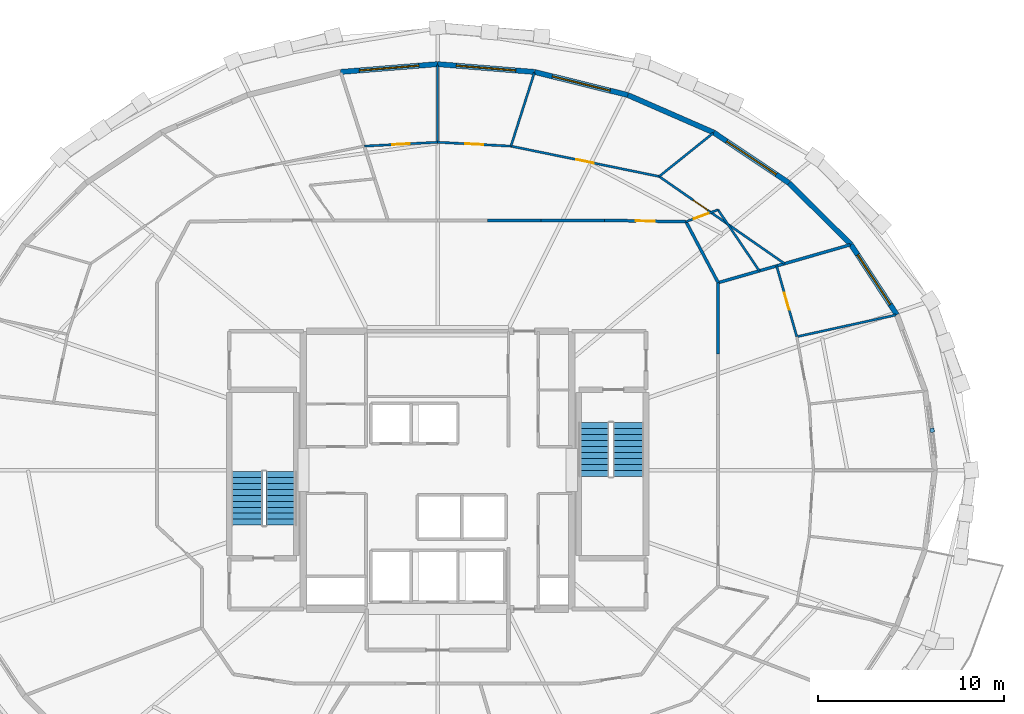
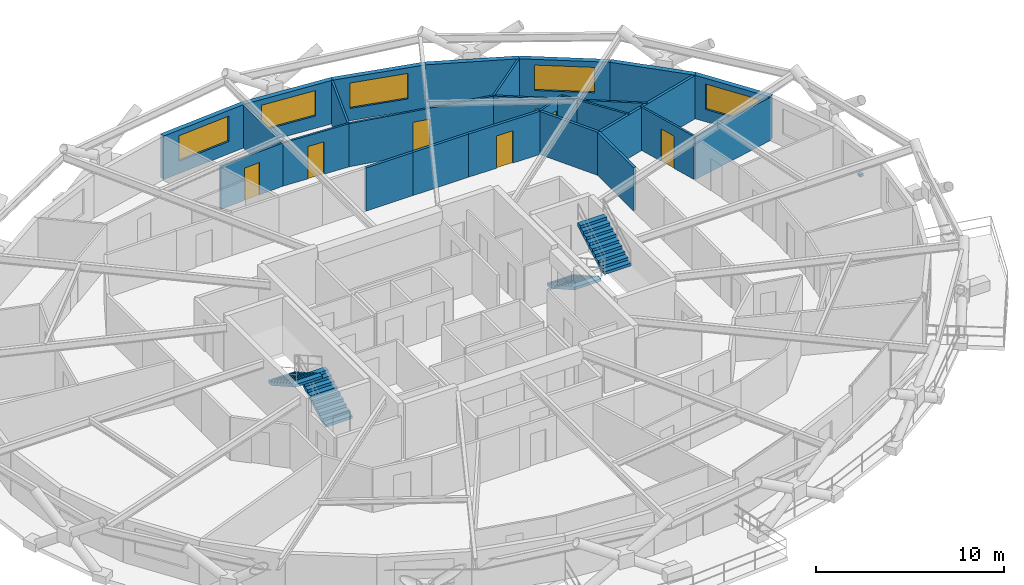
# One storey, part 11 of 12: 24 walls, 7 doors, 5 windows, 4 stair flights, 1 discrete accessory, 12 openings, 2 elements without a shape of their own.
"""IFC4 building model written with IfcOpenShell, lengths in metres."""

import ifcopenshell
import ifcopenshell.guid

model = None  # the IFC model being written
_history = None  # IfcOwnerHistory: only IFC2X3 demands one
_inside = {}  # id of a spatial element -> (the spatial element, [elements in it])
_under = {}  # id of a project, library or spatial element -> (it, [spatial elements below it])
_declared = {}  # id of a project -> (the project, [libraries it declares])
_typed = {}  # id of a type object -> (the type object, [elements of that type])
_made_of = {}  # id of a material, layer set ... -> (it, [elements and type objects made of it])


def new_model(schema):
    """Start an empty IFC model of exactly this schema.

    Asked for "IFC4X3", IfcOpenShell would pick the latest addendum, in which some entities
    have other attributes; the version numbers below select the first issue.
    IFC2X3 requires an IfcOwnerHistory on every rooted entity: one is made here for all.
    """
    global model, _history
    if schema == "IFC4X3":
        model = ifcopenshell.file(schema_version=(4, 3, 0, 0))
    else:
        model = ifcopenshell.file(schema=schema)
    _inside.clear()
    _under.clear()
    _declared.clear()
    _typed.clear()
    _made_of.clear()
    _history = None
    if model.schema == "IFC2X3":
        org = make("IfcOrganization", Name="unknown")
        user = make(
            "IfcPersonAndOrganization",
            ThePerson=make("IfcPerson", FamilyName="unknown"),
            TheOrganization=org,
        )
        app = make(
            "IfcApplication",
            ApplicationDeveloper=org,
            Version="unknown",
            ApplicationFullName="unknown",
            ApplicationIdentifier="unknown",
        )
        _history = make(
            "IfcOwnerHistory",
            OwningUser=user,
            OwningApplication=app,
            ChangeAction="ADDED",
            CreationDate=0,
        )
    return model


def make(cls, **values):
    """One entity of the class cls with the attributes given. An attribute that is None is left unset."""
    return model.create_entity(
        cls, **{name: value for name, value in values.items() if value is not None}
    )


def rooted(cls, **values):
    """An entity with a GlobalId (a new one), such as an element, a storey or a relation."""
    return make(cls, GlobalId=ifcopenshell.guid.new(), OwnerHistory=_history, **values)


def si_unit(unit_type, name, prefix=None):
    """IfcSIUnit, for example si_unit("LENGTHUNIT", "METRE", prefix="MILLI")."""
    return make("IfcSIUnit", UnitType=unit_type, Prefix=prefix, Name=name)


def assignment(units):
    """IfcUnitAssignment: the units of a project."""
    return None if units is None else make("IfcUnitAssignment", Units=units)


def point(xyz):
    """IfcCartesianPoint."""
    return None if xyz is None else make("IfcCartesianPoint", Coordinates=xyz)


def direction(xyz):
    """IfcDirection."""
    return None if xyz is None else make("IfcDirection", DirectionRatios=xyz)


def frame(location, z_axis=None, x_axis=None):
    """IfcAxis2Placement3D, a coordinate frame: its origin and axes. An axis left out is left unset."""
    return make(
        "IfcAxis2Placement3D",
        Location=point(location),
        Axis=direction(z_axis),
        RefDirection=direction(x_axis),
    )


def frame_2d(location, x_axis=None):
    """IfcAxis2Placement2D, a coordinate frame in the plane: its origin and x axis."""
    return make(
        "IfcAxis2Placement2D", Location=point(location), RefDirection=direction(x_axis)
    )


def origin():
    """The frame at (0, 0, 0) with its axes left unset."""
    return frame((0.0, 0.0, 0.0))


def origin_2d():
    """The frame at (0, 0) in the plane with its x axis left unset."""
    return frame_2d((0.0, 0.0))


def place(relative_to, where):
    """IfcLocalPlacement: puts the frame where relative to a parent placement (None: the world)."""
    return make(
        "IfcLocalPlacement", PlacementRelTo=relative_to, RelativePlacement=where
    )


def context(
    kind, dimensions, precision=None, world=None, true_north=None, identifier=None
):
    """IfcGeometricRepresentationContext, for example the 3D "Model" context."""
    return make(
        "IfcGeometricRepresentationContext",
        ContextIdentifier=identifier,
        ContextType=kind,
        CoordinateSpaceDimension=dimensions,
        Precision=precision,
        WorldCoordinateSystem=world,
        TrueNorth=true_north,
    )


def subcontext(parent, identifier, kind, view, scale=None):
    """IfcGeometricRepresentationSubContext, for example "Body" below "Model"."""
    return make(
        "IfcGeometricRepresentationSubContext",
        ContextIdentifier=identifier,
        ContextType=kind,
        ParentContext=parent,
        TargetScale=scale,
        TargetView=view,
    )


def project(units=None, contexts=None):
    """IfcProject with its units and contexts."""
    return rooted(
        "IfcProject",
        Name="project",
        RepresentationContexts=contexts,
        UnitsInContext=assignment(units),
    )


def spatial(cls, under=None, at=None, **own):
    """A site, building, storey or space (cls), placed at a placement, below another one or the project."""
    s = rooted(cls, ObjectPlacement=at, **own)
    if under is not None:
        _under.setdefault(under.id(), (under, []))[1].append(s)
    return s


def polyline(points):
    """IfcPolyline through the points."""
    return make("IfcPolyline", Points=[point(p) for p in points])


def profile(cls, at=None, kind="AREA", **sizes):
    """A parametric profile (cls). Its sizes go by their IFC names, for example OverallWidth=200.0."""
    return make(cls, ProfileType=kind, Position=at, **sizes)


def rectangle(**sizes):
    """IfcRectangleProfileDef."""
    return profile("IfcRectangleProfileDef", **sizes)


def outline(outer, holes=None, kind="AREA"):
    """IfcArbitraryClosedProfileDef: a profile drawn as a closed curve; with holes, ...WithVoids."""
    if holes is None:
        return make("IfcArbitraryClosedProfileDef", ProfileType=kind, OuterCurve=outer)
    return make(
        "IfcArbitraryProfileDefWithVoids",
        ProfileType=kind,
        OuterCurve=outer,
        InnerCurves=holes,
    )


def extrude(swept, where, along, depth):
    """IfcExtrudedAreaSolid: the profile swept, set in the frame where, extruded along a direction by depth."""
    return make(
        "IfcExtrudedAreaSolid",
        SweptArea=swept,
        Position=where,
        ExtrudedDirection=direction(along),
        Depth=depth,
    )


def shape(context_of_items, identifier, shape_type, items):
    """IfcShapeRepresentation: the items that make up one representation, for example the "Body"."""
    return make(
        "IfcShapeRepresentation",
        ContextOfItems=context_of_items,
        RepresentationIdentifier=identifier,
        RepresentationType=shape_type,
        Items=items,
    )


def material(Name=None, Category=None):
    """IfcMaterial."""
    return make("IfcMaterial", Name=Name, Category=Category)


def layer(
    of_material, thickness, ventilated=None, Name=None, Category=None, Priority=None
):
    """IfcMaterialLayer: one layer of a wall or slab, of a material (None: an air gap)."""
    return make(
        "IfcMaterialLayer",
        Material=of_material,
        LayerThickness=thickness,
        IsVentilated=ventilated,
        Name=Name,
        Category=Category,
        Priority=Priority,
    )


def layer_set(layers, Name=None):
    """IfcMaterialLayerSet."""
    return make("IfcMaterialLayerSet", MaterialLayers=layers, LayerSetName=Name)


def made_of(thing, what):
    """Note that an element or type object is made of a material, layer set ...; save() writes the relation."""
    if what is not None:
        _made_of.setdefault(what.id(), (what, []))[1].append(thing)
    return thing


def type_object(cls, material=None, **own):
    """A type object (cls), such as IfcWallType, which elements share."""
    return made_of(rooted(cls, **own), material)


def element(
    cls,
    number,
    at=None,
    inside=None,
    cuts=None,
    type_object=None,
    material=None,
    context=None,
    identifier="Body",
    shape_type=None,
    held_by="IfcProductDefinitionShape",
    body=None,
    shapes=None,
    **own,
):
    """One element of the class cls, such as IfcWall. Its Tag is "e" and its number.

    at: its placement. inside: the storey or other place that contains it. cuts: it is an
    opening in that element (IfcRelVoidsElement). A single representation is given by context,
    identifier, shape_type and body (its items); several are given by shapes. held_by: the class
    of the entity that holds the representations. save() writes the other relations.
    """
    e = rooted(cls, Tag="e%d" % number, ObjectPlacement=at, **own)
    if body is not None:
        shapes = [shape(context, identifier, shape_type, body)]
    if shapes is not None:
        e.Representation = make(held_by, Representations=shapes)
    if inside is not None:
        _inside.setdefault(inside.id(), (inside, []))[1].append(e)
    if cuts is not None:
        rooted(
            "IfcRelVoidsElement", RelatingBuildingElement=cuts, RelatedOpeningElement=e
        )
    if type_object is not None:
        _typed.setdefault(type_object.id(), (type_object, []))[1].append(e)
    return made_of(e, material)


def fill(opening, filler):
    """IfcRelFillsElement: the door or window that sits in an opening."""
    return rooted(
        "IfcRelFillsElement",
        RelatingOpeningElement=opening,
        RelatedBuildingElement=filler,
    )


def aggregate(whole, parts):
    """IfcRelAggregates: a whole, such as a stair, and the parts it consists of."""
    return rooted("IfcRelAggregates", RelatingObject=whole, RelatedObjects=parts)


def save(model, path):
    """Write the relations noted so far, then the file.

    IfcRelAggregates (storeys below a building ...), IfcRelContainedInSpatialStructure (elements
    in a storey), IfcRelDefinesByType, IfcRelAssociatesMaterial and IfcRelDeclares: one each for
    every whole, place, type object, material and project.
    """
    for whole, parts in _under.values():
        aggregate(whole, parts)
    for where, things in _inside.values():
        rooted(
            "IfcRelContainedInSpatialStructure",
            RelatedElements=things,
            RelatingStructure=where,
        )
    for kind, things in _typed.values():
        rooted("IfcRelDefinesByType", RelatedObjects=things, RelatingType=kind)
    for what, things in _made_of.values():
        rooted("IfcRelAssociatesMaterial", RelatedObjects=things, RelatingMaterial=what)
    for by, libraries in _declared.values():
        rooted("IfcRelDeclares", RelatingContext=by, RelatedDefinitions=libraries)
    model.write(path)


model = new_model("IFC4")

# Units and contexts
model_context = context("Model", 3, precision=1e-05, world=origin(), true_north=direction((0.0, 1.0)))
body_context = subcontext(model_context, "Body", "Model", "MODEL_VIEW")
ifc_project = project(units=[si_unit("LENGTHUNIT", "METRE"), si_unit("AREAUNIT", "SQUARE_METRE"), si_unit("VOLUMEUNIT", "CUBIC_METRE"), si_unit("PLANEANGLEUNIT", "RADIAN"), si_unit("MASSUNIT", "GRAM", prefix="KILO")], contexts=[model_context])

# Site, building, storey
site_placement = place(None, origin())
site = spatial("IfcSite", under=ifc_project, at=site_placement, CompositionType="ELEMENT")
building_placement = place(site_placement, origin())
building = spatial("IfcBuilding", under=site, at=building_placement, Name="Veldorina Hangang Commons", CompositionType="ELEMENT")
storey_placement = place(building_placement, frame((0.0, 0.0, 124.39990234375)))
storey = spatial("IfcBuildingStorey", under=building, at=storey_placement, Name="L31", CompositionType="ELEMENT", Elevation=124.39990234375)

# Wall, opening, window
ifc_material_1 = material(Name="Stone Roman Travertine", Category="masonry")
ifc_layer_1 = layer(ifc_material_1, 0.280029296875)
ifc_layer_set_1 = layer_set([ifc_layer_1], Name="Stone Roman Travertine")
wall_type_1 = type_object("IfcWallType", Name="EW-TRAV-280", PredefinedType="STANDARD", material=ifc_layer_set_1)
wall_1_placement = place(storey_placement, frame((56.63671875, 32.334228515625, 0.0), z_axis=(0.0, 0.0, 1.0), x_axis=(-0.547581138096, 0.836752590197, 0.0)))
wall_1 = element("IfcWall", 1, at=wall_1_placement, inside=storey, type_object=wall_type_1, Name="L31 travertine facade wall 02", PredefinedType="STANDARD", context=body_context, shape_type="SweptSolid", body=[
    extrude(rectangle(XDim=4.5, YDim=0.280029296875, at=frame_2d((2.25, 0.0))), origin(), (0.0, 0.0, 1.0), 2.820068359375),
])
opening_1_placement = place(wall_1_placement, frame((0.64990234375, 0.0, 0.800048828125)))
opening_1 = element("IfcOpeningElement", 2, at=opening_1_placement, cuts=wall_1, Name="Opening W-01", PredefinedType="OPENING", context=body_context, shape_type="SweptSolid", body=[
    extrude(rectangle(XDim=3.199951171875, YDim=1.64990234375, at=frame_2d((1.60009765625, 0.824951171875))), frame((0.0, 0.14990234375, 0.0), z_axis=(0.0, -1.0, 0.0), x_axis=(1.0, 0.0, 0.0)), (0.0, 0.0, 1.0), 0.300048828125),
])
ifc_material_2 = material(Name="Glass Low-E Triple IGU", Category="glass")
window_type = type_object("IfcWindowType", Name="WIN-TWR-3200", PartitioningType="SINGLE_PANEL", PredefinedType="WINDOW", material=ifc_material_2)
window_1_placement = place(opening_1_placement, origin())
window_1 = element("IfcWindow", 3, at=window_1_placement, inside=storey, type_object=window_type, Name="L31 facade window 02", OverallHeight=1.64990234375, OverallWidth=3.199951171875, PartitioningType="SINGLE_PANEL", PredefinedType="WINDOW", context=body_context, shape_type="SweptSolid", body=[
    extrude(rectangle(XDim=3.199951171875, YDim=1.64990234375, at=frame_2d((1.60009765625, 0.824951171875))), frame((0.0, 0.030029296875, 0.0), z_axis=(0.0, -1.0, 0.0), x_axis=(1.0, 0.0, 0.0)), (0.0, 0.0, 1.0), 0.06005859375),
])
fill(opening_1, window_1)

# Wall
wall_2_placement = place(storey_placement, frame((54.172607421875, 36.099609375, 0.0), z_axis=(0.0, 0.0, 1.0), x_axis=(-0.708826657364, 0.70538271159, 0.0)))
element("IfcWall", 4, at=wall_2_placement, inside=storey, type_object=wall_type_1, Name="L31 travertine facade wall 03", PredefinedType="STANDARD", context=body_context, shape_type="SweptSolid", body=[
    extrude(rectangle(XDim=4.6787109375, YDim=0.280029296875, at=frame_2d((2.33935546875, 0.0))), origin(), (0.0, 0.0, 1.0), 2.820068359375),
])

# Wall, opening, window
wall_3_placement = place(storey_placement, frame((50.856201171875, 39.39990234375, 0.0), z_axis=(0.0, 0.0, 1.0), x_axis=(-0.83069663506, 0.556725336679, 0.0)))
wall_3 = element("IfcWall", 5, at=wall_3_placement, inside=storey, type_object=wall_type_1, Name="L31 travertine facade wall 04", PredefinedType="STANDARD", context=body_context, shape_type="SweptSolid", body=[
    extrude(rectangle(XDim=4.864501953125, YDim=0.280029296875, at=frame_2d((2.43212890625, 0.0))), origin(), (0.0, 0.0, 1.0), 2.820068359375),
])
opening_2_placement = place(wall_3_placement, frame((0.832275390625, 0.0, 0.800048828125)))
opening_2 = element("IfcOpeningElement", 6, at=opening_2_placement, cuts=wall_3, Name="Opening W-01", PredefinedType="OPENING", context=body_context, shape_type="SweptSolid", body=[
    extrude(rectangle(XDim=3.199951171875, YDim=1.64990234375, at=frame_2d((1.60009765625, 0.824951171875))), frame((0.0, 0.14990234375, 0.0), z_axis=(0.0, -1.0, 0.0), x_axis=(1.0, 0.0, 0.0)), (0.0, 0.0, 1.0), 0.300048828125),
])
window_2_placement = place(opening_2_placement, origin())
window_2 = element("IfcWindow", 7, at=window_2_placement, inside=storey, type_object=window_type, Name="L31 facade window 04", OverallHeight=1.64990234375, OverallWidth=3.199951171875, PartitioningType="SINGLE_PANEL", PredefinedType="WINDOW", context=body_context, shape_type="SweptSolid", body=[
    extrude(rectangle(XDim=3.199951171875, YDim=1.64990234375, at=frame_2d((1.60009765625, 0.824951171875))), frame((0.0, 0.030029296875, 0.0), z_axis=(0.0, -1.0, 0.0), x_axis=(1.0, 0.0, 0.0)), (0.0, 0.0, 1.0), 0.06005859375),
])
fill(opening_2, window_2)

# Wall
wall_4_placement = place(storey_placement, frame((46.815185546875, 42.108154296875, 0.0), z_axis=(0.0, 0.0, 1.0), x_axis=(-0.916473381058, 0.400095665825, 0.0)))
element("IfcWall", 8, at=wall_4_placement, inside=storey, type_object=wall_type_1, Name="L31 travertine facade wall 05", PredefinedType="STANDARD", context=body_context, shape_type="SweptSolid", body=[
    extrude(rectangle(XDim=5.030517578125, YDim=0.280029296875, at=frame_2d((2.51513671875, 0.0))), origin(), (0.0, 0.0, 1.0), 2.820068359375),
])

# Wall, opening, window
wall_5_placement = place(storey_placement, frame((42.204833984375, 44.120849609375, 0.0), z_axis=(0.0, 0.0, 1.0), x_axis=(-0.970658593631, 0.24046183608, 0.0)))
wall_5 = element("IfcWall", 9, at=wall_5_placement, inside=storey, type_object=wall_type_1, Name="L31 travertine facade wall 06", PredefinedType="STANDARD", context=body_context, shape_type="SweptSolid", body=[
    extrude(rectangle(XDim=5.153564453125, YDim=0.280029296875, at=frame_2d((2.57666015625, 0.0))), origin(), (0.0, 0.0, 1.0), 2.820068359375),
])
opening_3_placement = place(wall_5_placement, frame((0.976806640625, 0.0, 0.800048828125)))
opening_3 = element("IfcOpeningElement", 10, at=opening_3_placement, cuts=wall_5, Name="Opening W-01", PredefinedType="OPENING", context=body_context, shape_type="SweptSolid", body=[
    extrude(rectangle(XDim=3.199951171875, YDim=1.64990234375, at=frame_2d((1.60009765625, 0.824951171875))), frame((0.0, 0.14990234375, 0.0), z_axis=(0.0, -1.0, 0.0), x_axis=(1.0, 0.0, 0.0)), (0.0, 0.0, 1.0), 0.300048828125),
])
window_3_placement = place(opening_3_placement, origin())
window_3 = element("IfcWindow", 11, at=window_3_placement, inside=storey, type_object=window_type, Name="L31 facade window 06", OverallHeight=1.64990234375, OverallWidth=3.199951171875, PartitioningType="SINGLE_PANEL", PredefinedType="WINDOW", context=body_context, shape_type="SweptSolid", body=[
    extrude(rectangle(XDim=3.199951171875, YDim=1.64990234375, at=frame_2d((1.60009765625, 0.824951171875))), frame((0.0, 0.030029296875, 0.0), z_axis=(0.0, -1.0, 0.0), x_axis=(1.0, 0.0, 0.0)), (0.0, 0.0, 1.0), 0.06005859375),
])
fill(opening_3, window_3)

wall_6_placement = place(storey_placement, frame((37.202392578125, 45.360107421875, 0.0), z_axis=(0.0, 0.0, 1.0), x_axis=(-0.996780678479, 0.080176549013, 0.0)))
wall_6 = element("IfcWall", 12, at=wall_6_placement, inside=storey, type_object=wall_type_1, Name="L31 travertine facade wall 07", PredefinedType="STANDARD", context=body_context, shape_type="SweptSolid", body=[
    extrude(rectangle(XDim=5.21923828125, YDim=0.280029296875, at=frame_2d((2.609619140625, 0.0))), origin(), (0.0, 0.0, 1.0), 2.820068359375),
])
opening_4_placement = place(wall_6_placement, frame((1.009521484375, 0.0, 0.800048828125)))
opening_4 = element("IfcOpeningElement", 13, at=opening_4_placement, cuts=wall_6, Name="Opening W-01", PredefinedType="OPENING", context=body_context, shape_type="SweptSolid", body=[
    extrude(rectangle(XDim=3.199951171875, YDim=1.64990234375, at=frame_2d((1.60009765625, 0.824951171875))), frame((0.0, 0.14990234375, 0.0), z_axis=(0.0, -1.0, 0.0), x_axis=(1.0, 0.0, 0.0)), (0.0, 0.0, 1.0), 0.300048828125),
])
window_4_placement = place(opening_4_placement, origin())
window_4 = element("IfcWindow", 14, at=window_4_placement, inside=storey, type_object=window_type, Name="L31 facade window 07", OverallHeight=1.64990234375, OverallWidth=3.199951171875, PartitioningType="SINGLE_PANEL", PredefinedType="WINDOW", context=body_context, shape_type="SweptSolid", body=[
    extrude(rectangle(XDim=3.199951171875, YDim=1.64990234375, at=frame_2d((1.60009765625, 0.824951171875))), frame((0.0, 0.030029296875, 0.0), z_axis=(0.0, -1.0, 0.0), x_axis=(1.0, 0.0, 0.0)), (0.0, 0.0, 1.0), 0.06005859375),
])
fill(opening_4, window_4)

wall_7_placement = place(storey_placement, frame((32.0, 45.778564453125, 0.0), z_axis=(0.0, 0.0, 1.0), x_axis=(-0.996780678479, -0.080176549013, 0.0)))
wall_7 = element("IfcWall", 15, at=wall_7_placement, inside=storey, type_object=wall_type_1, Name="L31 travertine facade wall 08", PredefinedType="STANDARD", context=body_context, shape_type="SweptSolid", body=[
    extrude(rectangle(XDim=5.21923828125, YDim=0.280029296875, at=frame_2d((2.609619140625, 0.0))), origin(), (0.0, 0.0, 1.0), 2.820068359375),
])
opening_5_placement = place(wall_7_placement, frame((1.009521484375, 0.0, 0.800048828125)))
opening_5 = element("IfcOpeningElement", 16, at=opening_5_placement, cuts=wall_7, Name="Opening W-01", PredefinedType="OPENING", context=body_context, shape_type="SweptSolid", body=[
    extrude(rectangle(XDim=3.199951171875, YDim=1.64990234375, at=frame_2d((1.60009765625, 0.824951171875))), frame((0.0, 0.14990234375, 0.0), z_axis=(0.0, -1.0, 0.0), x_axis=(1.0, 0.0, 0.0)), (0.0, 0.0, 1.0), 0.300048828125),
])
window_5_placement = place(opening_5_placement, origin())
window_5 = element("IfcWindow", 17, at=window_5_placement, inside=storey, type_object=window_type, Name="L31 facade window 08", OverallHeight=1.64990234375, OverallWidth=3.199951171875, PartitioningType="SINGLE_PANEL", PredefinedType="WINDOW", context=body_context, shape_type="SweptSolid", body=[
    extrude(rectangle(XDim=3.199951171875, YDim=1.64990234375, at=frame_2d((1.60009765625, 0.824951171875))), frame((0.0, 0.030029296875, 0.0), z_axis=(0.0, -1.0, 0.0), x_axis=(1.0, 0.0, 0.0)), (0.0, 0.0, 1.0), 0.06005859375),
])
fill(opening_5, window_5)

# Walls
ifc_material_3 = material(Name="Gypsum Fire-Rated Twin Stud Wall", Category="gypsum")
ifc_layer_2 = layer(ifc_material_3, 0.159912109375)
ifc_layer_set_2 = layer_set([ifc_layer_2], Name="Gypsum Fire-Rated Twin Stud Wall")
wall_type_2 = type_object("IfcWallType", Name="WL-FIRE-160", PredefinedType="SOLIDWALL", material=ifc_layer_set_2)
wall_8_placement = place(storey_placement, frame((47.050048828125, 30.23388671875, 0.0), z_axis=(0.0, 0.0, 1.0), x_axis=(0.0, 1.0, 0.0)))
element("IfcWall", 18, at=wall_8_placement, inside=storey, type_object=wall_type_2, Name="L31 U-corridor outer wall 02 048", PredefinedType="SOLIDWALL", context=body_context, shape_type="SweptSolid", body=[
    extrude(rectangle(XDim=3.822265625, YDim=0.159912109375, at=frame_2d((1.9111328125, 0.0))), origin(), (0.0, 0.0, 1.0), 2.800048828125),
])
wall_9_placement = place(storey_placement, frame((47.050048828125, 34.05615234375, 0.0), z_axis=(0.0, 0.0, 1.0), x_axis=(-0.466737093093, 0.884396113702, 0.0)))
element("IfcWall", 19, at=wall_9_placement, inside=storey, type_object=wall_type_2, Name="L31 U-corridor outer wall 03 049", PredefinedType="SOLIDWALL", context=body_context, shape_type="SweptSolid", body=[
    extrude(rectangle(XDim=3.696044921875, YDim=0.159912109375, at=frame_2d((1.84814453125, 0.0))), origin(), (0.0, 0.0, 1.0), 2.800048828125),
])

# Wall, opening, door
wall_10_placement = place(storey_placement, frame((45.324951171875, 37.324951171875, 0.0), z_axis=(0.0, 0.0, 1.0), x_axis=(-0.999853038912, 0.017143528788, 0.0)))
wall_10 = element("IfcWall", 20, at=wall_10_placement, inside=storey, type_object=wall_type_2, Name="L31 U-corridor outer wall 04 050", PredefinedType="SOLIDWALL", context=body_context, shape_type="SweptSolid", body=[
    extrude(rectangle(XDim=4.3720703125, YDim=0.159912109375, at=frame_2d((2.18603515625, 0.0))), origin(), (0.0, 0.0, 1.0), 2.800048828125),
])
opening_6_placement = place(wall_10_placement, frame((1.68603515625, 0.0, 0.0)))
opening_6 = element("IfcOpeningElement", 21, at=opening_6_placement, cuts=wall_10, Name="Opening D-06", PredefinedType="OPENING", context=body_context, shape_type="SweptSolid", body=[
    extrude(rectangle(XDim=1.0, YDim=2.10009765625, at=frame_2d((0.5, 1.050048828125))), frame((0.0, 0.08984375, 0.0), z_axis=(0.0, -1.0, 0.0), x_axis=(1.0, 0.0, 0.0)), (0.0, 0.0, 1.0), 0.179931640625),
])
ifc_material_4 = material(Name="Timber Fire-Rated Entrance Core", Category="wood")
door_type_1 = type_object("IfcDoorType", Name="DR-UNIT-1000", OperationType="SINGLE_SWING_LEFT", PredefinedType="DOOR", material=ifc_material_4)
door_1_placement = place(opening_6_placement, origin())
door_1 = element("IfcDoor", 22, at=door_1_placement, inside=storey, type_object=door_type_1, Name="L31 Cluster 3 entrance door 029", OperationType="SINGLE_SWING_LEFT", OverallHeight=2.10009765625, OverallWidth=1.0, PredefinedType="DOOR", context=body_context, shape_type="SweptSolid", body=[
    extrude(rectangle(XDim=1.0, YDim=2.10009765625, at=frame_2d((0.5, 1.050048828125))), frame((0.0, 0.02490234375, 0.0), z_axis=(0.0, -1.0, 0.0), x_axis=(1.0, 0.0, 0.0)), (0.0, 0.0, 1.0), 0.050048828125),
])
fill(opening_6, door_1)

# Walls
wall_11_placement = place(storey_placement, frame((40.95361328125, 37.39990234375, 0.0), z_axis=(0.0, 0.0, 1.0), x_axis=(-1.0, 0.0, 0.0)))
element("IfcWall", 23, at=wall_11_placement, inside=storey, type_object=wall_type_2, Name="L31 U-corridor outer wall 05 051", PredefinedType="SOLIDWALL", context=body_context, shape_type="SweptSolid", body=[
    extrude(rectangle(XDim=3.403076171875, YDim=0.159912109375, at=frame_2d((1.70166015625, 0.0))), origin(), (0.0, 0.0, 1.0), 2.800048828125),
])
wall_12_placement = place(storey_placement, frame((37.550537109375, 37.39990234375, 0.0), z_axis=(0.0, 0.0, 1.0), x_axis=(-1.0, 0.0, 0.0)))
element("IfcWall", 24, at=wall_12_placement, inside=storey, type_object=wall_type_2, Name="L31 U-corridor outer wall 06 052", PredefinedType="SOLIDWALL", context=body_context, shape_type="SweptSolid", body=[
    extrude(rectangle(XDim=2.88525390625, YDim=0.159912109375, at=frame_2d((1.442626953125, 0.0))), origin(), (0.0, 0.0, 1.0), 2.800048828125),
])
wall_13_placement = place(storey_placement, frame((47.050048828125, 34.05615234375, 0.0), z_axis=(0.0, 0.0, 1.0), x_axis=(0.96122671613, 0.275759315705, 0.0)))
element("IfcWall", 25, at=wall_13_placement, inside=storey, type_object=wall_type_2, Name="L31 Unit party wall 03 097", PredefinedType="SOLIDWALL", context=body_context, shape_type="SweptSolid", body=[
    extrude(rectangle(XDim=7.35986328125, YDim=0.159912109375, at=frame_2d((3.679931640625, 0.0))), origin(), (0.0, 0.0, 1.0), 2.800048828125),
])

# Wall, opening, door
ifc_material_5 = material(Name="Gypsum Acoustic Stud Partition", Category="gypsum")
ifc_layer_3 = layer(ifc_material_5, 0.1201171875)
ifc_layer_set_3 = layer_set([ifc_layer_3], Name="Gypsum Acoustic Stud Partition")
wall_type_3 = type_object("IfcWallType", Name="WL-PART-120", PredefinedType="PARTITIONING", material=ifc_layer_set_3)
wall_14_placement = place(storey_placement, frame((51.26806640625, 31.158203125, 0.0), z_axis=(0.0, 0.0, 1.0), x_axis=(-0.274582301576, 0.961563601465, 0.0)))
wall_14 = element("IfcWall", 26, at=wall_14_placement, inside=storey, type_object=wall_type_3, Name="L31 Cluster 2 bed 6 front wall 095", PredefinedType="PARTITIONING", context=body_context, shape_type="SweptSolid", body=[
    extrude(rectangle(XDim=3.94873046875, YDim=0.1201171875, at=frame_2d((1.974365234375, 0.0))), origin(), (0.0, 0.0, 1.0), 2.800048828125),
])
opening_7_placement = place(wall_14_placement, frame((1.49951171875, 0.0, 0.0)))
opening_7 = element("IfcOpeningElement", 27, at=opening_7_placement, cuts=wall_14, Name="Opening D-02", PredefinedType="OPENING", context=body_context, shape_type="SweptSolid", body=[
    extrude(rectangle(XDim=0.949951171875, YDim=2.10009765625, at=frame_2d((0.47509765625, 1.050048828125))), frame((0.0, 0.070068359375, 0.0), z_axis=(0.0, -1.0, 0.0), x_axis=(1.0, 0.0, 0.0)), (0.0, 0.0, 1.0), 0.14013671875),
])
ifc_material_6 = material(Name="Timber Solid Core Acoustic", Category="wood")
door_type_2 = type_object("IfcDoorType", Name="DR-INT-950", OperationType="SINGLE_SWING_LEFT", PredefinedType="DOOR", material=ifc_material_6)
door_2_placement = place(opening_7_placement, origin())
door_2 = element("IfcDoor", 28, at=door_2_placement, inside=storey, type_object=door_type_2, Name="L31 Cluster 2 bed 6 door 027", OperationType="SINGLE_SWING_LEFT", OverallHeight=2.10009765625, OverallWidth=0.949951171875, PredefinedType="DOOR", context=body_context, shape_type="SweptSolid", body=[
    extrude(rectangle(XDim=0.949951171875, YDim=2.10009765625, at=frame_2d((0.47509765625, 1.050048828125))), frame((0.0, 0.02490234375, 0.0), z_axis=(0.0, -1.0, 0.0), x_axis=(1.0, 0.0, 0.0)), (0.0, 0.0, 1.0), 0.050048828125),
])
fill(opening_7, door_2)

# Walls
wall_15_placement = place(storey_placement, frame((51.26806640625, 31.158203125, 0.0), z_axis=(0.0, 0.0, 1.0), x_axis=(0.976839732101, 0.213972282759, 0.0)))
element("IfcWall", 29, at=wall_15_placement, inside=storey, type_object=wall_type_3, Name="L31 Cluster 2 bed divider 5 096", PredefinedType="PARTITIONING", context=body_context, shape_type="SweptSolid", body=[
    extrude(rectangle(XDim=5.446044921875, YDim=0.1201171875, at=frame_2d((2.72314453125, 0.0))), origin(), (0.0, 0.0, 1.0), 2.800048828125),
])
wall_16_placement = place(storey_placement, frame((49.258056640625, 34.689697265625, 0.0), z_axis=(0.0, 0.0, 1.0), x_axis=(-0.560422606551, 0.828206799095, 0.0)))
element("IfcWall", 30, at=wall_16_placement, inside=storey, type_object=wall_type_3, Name="L31 Cluster 3 bath front wall 098", PredefinedType="PARTITIONING", context=body_context, shape_type="SweptSolid", body=[
    extrude(rectangle(XDim=3.958740234375, YDim=0.1201171875, at=frame_2d((1.9794921875, 0.0))), origin(), (0.0, 0.0, 1.0), 2.800048828125),
])

# Wall, opening, door
wall_17_placement = place(storey_placement, frame((45.324951171875, 37.324951171875, 0.0), z_axis=(0.0, 0.0, 1.0), x_axis=(0.936268898243, 0.351284144507, 0.0)))
wall_17 = element("IfcWall", 31, at=wall_17_placement, inside=storey, type_object=wall_type_3, Name="L31 Cluster 3 bath side wall 099", PredefinedType="PARTITIONING", context=body_context, shape_type="SweptSolid", body=[
    extrude(rectangle(XDim=1.831298828125, YDim=0.1201171875, at=frame_2d((0.91552734375, 0.0))), origin(), (0.0, 0.0, 1.0), 2.800048828125),
])
opening_8_placement = place(wall_17_placement, frame((0.43994140625, 0.0, 0.0)))
opening_8 = element("IfcOpeningElement", 32, at=opening_8_placement, cuts=wall_17, Name="Opening D-01", PredefinedType="OPENING", context=body_context, shape_type="SweptSolid", body=[
    extrude(rectangle(XDim=0.860107421875, YDim=2.10009765625, at=frame_2d((0.43017578125, 1.050048828125))), frame((0.0, 0.070068359375, 0.0), z_axis=(0.0, -1.0, 0.0), x_axis=(1.0, 0.0, 0.0)), (0.0, 0.0, 1.0), 0.14013671875),
])
ifc_material_7 = material(Name="Timber Moisture-Resistant Core", Category="wood")
door_type_3 = type_object("IfcDoorType", Name="DR-WET-860", OperationType="SINGLE_SWING_LEFT", PredefinedType="DOOR", material=ifc_material_7)
door_3_placement = place(opening_8_placement, origin())
door_3 = element("IfcDoor", 33, at=door_3_placement, inside=storey, type_object=door_type_3, Name="L31 Cluster 3 shared bathroom door 028", OperationType="SINGLE_SWING_RIGHT", OverallHeight=2.10009765625, OverallWidth=0.860107421875, PredefinedType="DOOR", context=body_context, shape_type="SweptSolid", body=[
    extrude(rectangle(XDim=0.860107421875, YDim=2.10009765625, at=frame_2d((0.43017578125, 1.050048828125))), frame((0.0, 0.02490234375, 0.0), z_axis=(0.0, -1.0, 0.0), x_axis=(1.0, 0.0, 0.0)), (0.0, 0.0, 1.0), 0.050048828125),
])
fill(opening_8, door_3)

wall_18_placement = place(storey_placement, frame((50.611083984375, 35.077880859375, 0.0), z_axis=(0.0, 0.0, 1.0), x_axis=(-0.821081312211, 0.570811246156, 0.0)))
wall_18 = element("IfcWall", 34, at=wall_18_placement, inside=storey, type_object=wall_type_3, Name="L31 Cluster 3 bed 1 front wall 100", PredefinedType="PARTITIONING", context=body_context, shape_type="SweptSolid", body=[
    extrude(rectangle(XDim=8.1923828125, YDim=0.1201171875, at=frame_2d((4.09619140625, 0.0))), origin(), (0.0, 0.0, 1.0), 2.800048828125),
])
opening_9_placement = place(wall_18_placement, frame((5.02099609375, 0.0, 0.0)))
opening_9 = element("IfcOpeningElement", 35, at=opening_9_placement, cuts=wall_18, Name="Opening D-02", PredefinedType="OPENING", context=body_context, shape_type="SweptSolid", body=[
    extrude(rectangle(XDim=0.949951171875, YDim=2.10009765625, at=frame_2d((0.47509765625, 1.050048828125))), frame((0.0, 0.070068359375, 0.0), z_axis=(0.0, -1.0, 0.0), x_axis=(1.0, 0.0, 0.0)), (0.0, 0.0, 1.0), 0.14013671875),
])
door_4_placement = place(opening_9_placement, origin())
door_4 = element("IfcDoor", 36, at=door_4_placement, inside=storey, type_object=door_type_2, Name="L31 Cluster 3 bed 1 door 030", OperationType="SINGLE_SWING_RIGHT", OverallHeight=2.10009765625, OverallWidth=0.949951171875, PredefinedType="DOOR", context=body_context, shape_type="SweptSolid", body=[
    extrude(rectangle(XDim=0.949951171875, YDim=2.10009765625, at=frame_2d((0.47509765625, 1.050048828125))), frame((0.0, 0.02490234375, 0.0), z_axis=(0.0, -1.0, 0.0), x_axis=(1.0, 0.0, 0.0)), (0.0, 0.0, 1.0), 0.050048828125),
])
fill(opening_9, door_4)

wall_19_placement = place(storey_placement, frame((43.884521484375, 39.754150390625, 0.0), z_axis=(0.0, 0.0, 1.0), x_axis=(-0.979728085565, 0.200331920462, 0.0)))
wall_19 = element("IfcWall", 37, at=wall_19_placement, inside=storey, type_object=wall_type_3, Name="L31 Cluster 3 bed 2 front wall 101", PredefinedType="PARTITIONING", context=body_context, shape_type="SweptSolid", body=[
    extrude(rectangle(XDim=8.115234375, YDim=0.1201171875, at=frame_2d((4.0576171875, 0.0))), origin(), (0.0, 0.0, 1.0), 2.800048828125),
])
opening_10_placement = place(wall_19_placement, frame((3.58251953125, 0.0, 0.0)))
opening_10 = element("IfcOpeningElement", 38, at=opening_10_placement, cuts=wall_19, Name="Opening D-02", PredefinedType="OPENING", context=body_context, shape_type="SweptSolid", body=[
    extrude(rectangle(XDim=0.949951171875, YDim=2.10009765625, at=frame_2d((0.47509765625, 1.050048828125))), frame((0.0, 0.070068359375, 0.0), z_axis=(0.0, -1.0, 0.0), x_axis=(1.0, 0.0, 0.0)), (0.0, 0.0, 1.0), 0.14013671875),
])
door_5_placement = place(opening_10_placement, origin())
door_5 = element("IfcDoor", 39, at=door_5_placement, inside=storey, type_object=door_type_2, Name="L31 Cluster 3 bed 2 door 031", OperationType="SINGLE_SWING_LEFT", OverallHeight=2.10009765625, OverallWidth=0.949951171875, PredefinedType="DOOR", context=body_context, shape_type="SweptSolid", body=[
    extrude(rectangle(XDim=0.949951171875, YDim=2.10009765625, at=frame_2d((0.47509765625, 1.050048828125))), frame((0.0, 0.02490234375, 0.0), z_axis=(0.0, -1.0, 0.0), x_axis=(1.0, 0.0, 0.0)), (0.0, 0.0, 1.0), 0.050048828125),
])
fill(opening_10, door_5)

# Wall
wall_20_placement = place(storey_placement, frame((43.884521484375, 39.754150390625, 0.0), z_axis=(0.0, 0.0, 1.0), x_axis=(0.779621413821, 0.626251108671, 0.0)))
element("IfcWall", 40, at=wall_20_placement, inside=storey, type_object=wall_type_3, Name="L31 Cluster 3 bed divider 1 102", PredefinedType="PARTITIONING", context=body_context, shape_type="SweptSolid", body=[
    extrude(rectangle(XDim=3.708984375, YDim=0.1201171875, at=frame_2d((1.8544921875, 0.0))), origin(), (0.0, 0.0, 1.0), 2.800048828125),
])

# Wall, opening, door
wall_21_placement = place(storey_placement, frame((35.933837890625, 41.3798828125, 0.0), z_axis=(0.0, 0.0, 1.0), x_axis=(-0.998585283564, 0.0531735973, 0.0)))
wall_21 = element("IfcWall", 41, at=wall_21_placement, inside=storey, type_object=wall_type_3, Name="L31 Cluster 3 bed 3 front wall 103", PredefinedType="PARTITIONING", context=body_context, shape_type="SweptSolid", body=[
    extrude(rectangle(XDim=3.939453125, YDim=0.1201171875, at=frame_2d((1.9697265625, 0.0))), origin(), (0.0, 0.0, 1.0), 2.800048828125),
])
opening_11_placement = place(wall_21_placement, frame((1.49462890625, 0.0, 0.0)))
opening_11 = element("IfcOpeningElement", 42, at=opening_11_placement, cuts=wall_21, Name="Opening D-02", PredefinedType="OPENING", context=body_context, shape_type="SweptSolid", body=[
    extrude(rectangle(XDim=0.949951171875, YDim=2.10009765625, at=frame_2d((0.47509765625, 1.050048828125))), frame((0.0, 0.070068359375, 0.0), z_axis=(0.0, -1.0, 0.0), x_axis=(1.0, 0.0, 0.0)), (0.0, 0.0, 1.0), 0.14013671875),
])
door_6_placement = place(opening_11_placement, origin())
door_6 = element("IfcDoor", 43, at=door_6_placement, inside=storey, type_object=door_type_2, Name="L31 Cluster 3 bed 3 door 032", OperationType="SINGLE_SWING_RIGHT", OverallHeight=2.10009765625, OverallWidth=0.949951171875, PredefinedType="DOOR", context=body_context, shape_type="SweptSolid", body=[
    extrude(rectangle(XDim=0.949951171875, YDim=2.10009765625, at=frame_2d((0.47509765625, 1.050048828125))), frame((0.0, 0.02490234375, 0.0), z_axis=(0.0, -1.0, 0.0), x_axis=(1.0, 0.0, 0.0)), (0.0, 0.0, 1.0), 0.050048828125),
])
fill(opening_11, door_6)

# Wall
wall_22_placement = place(storey_placement, frame((35.933837890625, 41.3798828125, 0.0), z_axis=(0.0, 0.0, 1.0), x_axis=(0.30367237582, 0.95277651533, 0.0)))
element("IfcWall", 44, at=wall_22_placement, inside=storey, type_object=wall_type_3, Name="L31 Cluster 3 bed divider 2 104", PredefinedType="PARTITIONING", context=body_context, shape_type="SweptSolid", body=[
    extrude(rectangle(XDim=4.12744140625, YDim=0.1201171875, at=frame_2d((2.063720703125, 0.0))), origin(), (0.0, 0.0, 1.0), 2.800048828125),
])

# Wall, opening, door
wall_23_placement = place(storey_placement, frame((32.0, 41.58935546875, 0.0), z_axis=(0.0, 0.0, 1.0), x_axis=(-0.998585283564, -0.0531735973, 0.0)))
wall_23 = element("IfcWall", 45, at=wall_23_placement, inside=storey, type_object=wall_type_3, Name="L31 Cluster 3 bed 4 front wall 105", PredefinedType="PARTITIONING", context=body_context, shape_type="SweptSolid", body=[
    extrude(rectangle(XDim=3.939453125, YDim=0.1201171875, at=frame_2d((1.9697265625, 0.0))), origin(), (0.0, 0.0, 1.0), 2.800048828125),
])
opening_12_placement = place(wall_23_placement, frame((1.49462890625, 0.0, 0.0)))
opening_12 = element("IfcOpeningElement", 46, at=opening_12_placement, cuts=wall_23, Name="Opening D-02", PredefinedType="OPENING", context=body_context, shape_type="SweptSolid", body=[
    extrude(rectangle(XDim=0.949951171875, YDim=2.10009765625, at=frame_2d((0.47509765625, 1.050048828125))), frame((0.0, 0.070068359375, 0.0), z_axis=(0.0, -1.0, 0.0), x_axis=(1.0, 0.0, 0.0)), (0.0, 0.0, 1.0), 0.14013671875),
])
door_7_placement = place(opening_12_placement, origin())
door_7 = element("IfcDoor", 47, at=door_7_placement, inside=storey, type_object=door_type_2, Name="L31 Cluster 3 bed 4 door 033", OperationType="SINGLE_SWING_LEFT", OverallHeight=2.10009765625, OverallWidth=0.949951171875, PredefinedType="DOOR", context=body_context, shape_type="SweptSolid", body=[
    extrude(rectangle(XDim=0.949951171875, YDim=2.10009765625, at=frame_2d((0.47509765625, 1.050048828125))), frame((0.0, 0.02490234375, 0.0), z_axis=(0.0, -1.0, 0.0), x_axis=(1.0, 0.0, 0.0)), (0.0, 0.0, 1.0), 0.050048828125),
])
fill(opening_12, door_7)

# Wall
wall_24_placement = place(storey_placement, frame((32.0, 41.58935546875, 0.0), z_axis=(0.0, 0.0, 1.0), x_axis=(0.0, 1.0, 0.0)))
element("IfcWall", 48, at=wall_24_placement, inside=storey, type_object=wall_type_3, Name="L31 Cluster 3 bed divider 3 106", PredefinedType="PARTITIONING", context=body_context, shape_type="SweptSolid", body=[
    extrude(rectangle(XDim=4.13916015625, YDim=0.1201171875, at=frame_2d((2.069580078125, 0.0))), origin(), (0.0, 0.0, 1.0), 2.800048828125),
])

# Stair, stair flights
ifc_material_8 = material(Name="Concrete C40/50", Category="concrete")
stair_type = type_object("IfcStairType", Name="STR-DOG-1650-20R", PredefinedType="HALF_TURN_STAIR", material=ifc_material_8)
stair_1_placement = place(storey_placement, origin())
stair_1 = element("IfcStair", 49, at=stair_1_placement, inside=storey, type_object=stair_type, Name="L31 Exit stair ST-1", PredefinedType="HALF_TURN_STAIR")
stair_flight_type = type_object("IfcStairFlightType", Name="SFL-STR-1650-20R", PredefinedType="STRAIGHT", material=ifc_material_8)
stair_flight_1_placement = place(storey_placement, frame((23.625, 21.050048828125, 0.0), z_axis=(0.0, 0.0, 1.0), x_axis=(0.0, 1.0, 0.0)))
stair_flight_1 = element("IfcStairFlight", 50, at=stair_flight_1_placement, type_object=stair_flight_type, Name="ST-1 flight 1", NumberOfRisers=10, NumberOfTreads=9, PredefinedType="STRAIGHT", RiserHeight=0.18, TreadLength=0.32, context=body_context, shape_type="SweptSolid", body=[
    extrude(outline(polyline([(0.0, 0.0), (0.0, 0.179931640625), (0.320068359375, 0.179931640625), (0.320068359375, 0.360107421875), (0.639892578125, 0.360107421875), (0.639892578125, 0.5400390625), (0.9599609375, 0.5400390625), (0.9599609375, 0.719970703125), (1.280029296875, 0.719970703125), (1.280029296875, 0.89990234375), (1.60009765625, 0.89990234375), (1.60009765625, 1.080078125), (1.919921875, 1.080078125), (1.919921875, 1.260009765625), (2.239990234375, 1.260009765625), (2.239990234375, 1.43994140625), (2.56005859375, 1.43994140625), (2.56005859375, 1.6201171875), (2.8798828125, 1.6201171875), (2.8798828125, 1.800048828125), (2.8798828125, 1.447998046875), (0.3056640625, 0.0), (0.0, 0.0)])), frame((0.0, 0.824951171875, 0.0), z_axis=(0.0, -1.0, 0.0), x_axis=(1.0, 0.0, 0.0)), (0.0, 0.0, 1.0), 1.64990234375),
])
stair_flight_2_placement = place(storey_placement, frame((21.77490234375, 23.929931640625, 1.800048828125), z_axis=(0.0, 0.0, 1.0), x_axis=(0.0, -1.0, 0.0)))
stair_flight_2 = element("IfcStairFlight", 51, at=stair_flight_2_placement, type_object=stair_flight_type, Name="ST-1 flight 2", NumberOfRisers=10, NumberOfTreads=9, PredefinedType="STRAIGHT", RiserHeight=0.18, TreadLength=0.32, context=body_context, shape_type="SweptSolid", body=[
    extrude(outline(polyline([(0.0, 0.0), (0.0, 0.179931640625), (0.320068359375, 0.179931640625), (0.320068359375, 0.360107421875), (0.639892578125, 0.360107421875), (0.639892578125, 0.5400390625), (0.9599609375, 0.5400390625), (0.9599609375, 0.719970703125), (1.280029296875, 0.719970703125), (1.280029296875, 0.89990234375), (1.60009765625, 0.89990234375), (1.60009765625, 1.080078125), (1.919921875, 1.080078125), (1.919921875, 1.260009765625), (2.239990234375, 1.260009765625), (2.239990234375, 1.43994140625), (2.56005859375, 1.43994140625), (2.56005859375, 1.6201171875), (2.8798828125, 1.6201171875), (2.8798828125, 1.800048828125), (2.8798828125, 1.447998046875), (0.3056640625, 0.0), (0.0, 0.0)])), frame((0.0, 0.824951171875, 0.0), z_axis=(0.0, -1.0, 0.0), x_axis=(1.0, 0.0, 0.0)), (0.0, 0.0, 1.0), 1.64990234375),
])
aggregate(stair_1, [stair_flight_1, stair_flight_2])

stair_2_placement = place(storey_placement, origin())
stair_2 = element("IfcStair", 52, at=stair_2_placement, inside=storey, type_object=stair_type, Name="L31 Exit stair ST-2", PredefinedType="HALF_TURN_STAIR")
stair_flight_3_placement = place(storey_placement, frame((40.375, 26.550048828125, 0.0), z_axis=(0.0, 0.0, 1.0), x_axis=(0.0, -1.0, 0.0)))
stair_flight_3 = element("IfcStairFlight", 53, at=stair_flight_3_placement, type_object=stair_flight_type, Name="ST-2 flight 1", NumberOfRisers=10, NumberOfTreads=9, PredefinedType="STRAIGHT", RiserHeight=0.18, TreadLength=0.32, context=body_context, shape_type="SweptSolid", body=[
    extrude(outline(polyline([(0.0, 0.0), (0.0, 0.179931640625), (0.320068359375, 0.179931640625), (0.320068359375, 0.360107421875), (0.639892578125, 0.360107421875), (0.639892578125, 0.5400390625), (0.9599609375, 0.5400390625), (0.9599609375, 0.719970703125), (1.280029296875, 0.719970703125), (1.280029296875, 0.89990234375), (1.60009765625, 0.89990234375), (1.60009765625, 1.080078125), (1.919921875, 1.080078125), (1.919921875, 1.260009765625), (2.239990234375, 1.260009765625), (2.239990234375, 1.43994140625), (2.56005859375, 1.43994140625), (2.56005859375, 1.6201171875), (2.8798828125, 1.6201171875), (2.8798828125, 1.800048828125), (2.8798828125, 1.447998046875), (0.3056640625, 0.0), (0.0, 0.0)])), frame((0.0, 0.824951171875, 0.0), z_axis=(0.0, -1.0, 0.0), x_axis=(1.0, 0.0, 0.0)), (0.0, 0.0, 1.0), 1.64990234375),
])
stair_flight_4_placement = place(storey_placement, frame((42.22509765625, 23.669921875, 1.800048828125), z_axis=(0.0, 0.0, 1.0), x_axis=(0.0, 1.0, 0.0)))
stair_flight_4 = element("IfcStairFlight", 54, at=stair_flight_4_placement, type_object=stair_flight_type, Name="ST-2 flight 2", NumberOfRisers=10, NumberOfTreads=9, PredefinedType="STRAIGHT", RiserHeight=0.18, TreadLength=0.32, context=body_context, shape_type="SweptSolid", body=[
    extrude(outline(polyline([(0.0, 0.0), (0.0, 0.179931640625), (0.320068359375, 0.179931640625), (0.320068359375, 0.360107421875), (0.639892578125, 0.360107421875), (0.639892578125, 0.5400390625), (0.9599609375, 0.5400390625), (0.9599609375, 0.719970703125), (1.280029296875, 0.719970703125), (1.280029296875, 0.89990234375), (1.60009765625, 0.89990234375), (1.60009765625, 1.080078125), (1.919921875, 1.080078125), (1.919921875, 1.260009765625), (2.239990234375, 1.260009765625), (2.239990234375, 1.43994140625), (2.56005859375, 1.43994140625), (2.56005859375, 1.6201171875), (2.8798828125, 1.6201171875), (2.8798828125, 1.800048828125), (2.8798828125, 1.447998046875), (0.3056640625, 0.0), (0.0, 0.0)])), frame((0.0, 0.824951171875, 0.0), z_axis=(0.0, -1.0, 0.0), x_axis=(1.0, 0.0, 0.0)), (0.0, 0.0, 1.0), 1.64990234375),
])
aggregate(stair_2, [stair_flight_3, stair_flight_4])

# Discrete accessory
ifc_material_9 = material(Name="Stainless Steel Brushed 316", Category="steel")
discrete_accessory_type = type_object("IfcDiscreteAccessoryType", Name="BRK-SCR-SS", PredefinedType="BRACKET", material=ifc_material_9)
discrete_accessory_placement = place(storey_placement, frame((58.529541015625, 26.138916015625, 0.72021484375), z_axis=(0.0, 0.0, 1.0), x_axis=(-0.119738310827, 0.992805487958, 0.0)))
element("IfcDiscreteAccessory", 55, at=discrete_accessory_placement, inside=storey, type_object=discrete_accessory_type, Name="L31 solar screen support bracket 00", PredefinedType="BRACKET", context=body_context, shape_type="SweptSolid", body=[
    extrude(rectangle(XDim=0.219970703125, YDim=0.219970703125, at=origin_2d()), origin(), (0.0, 0.0, 1.0), 0.159912109375),
])

save(model, "model.ifc")
